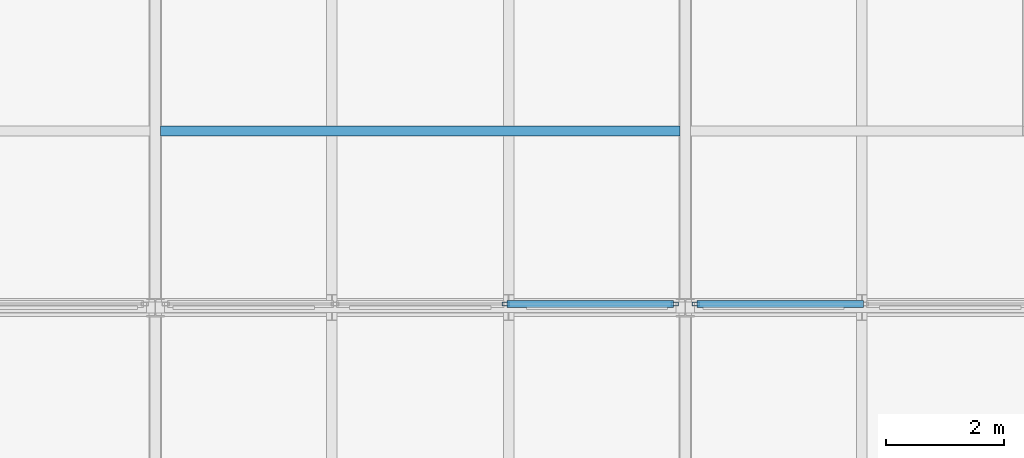
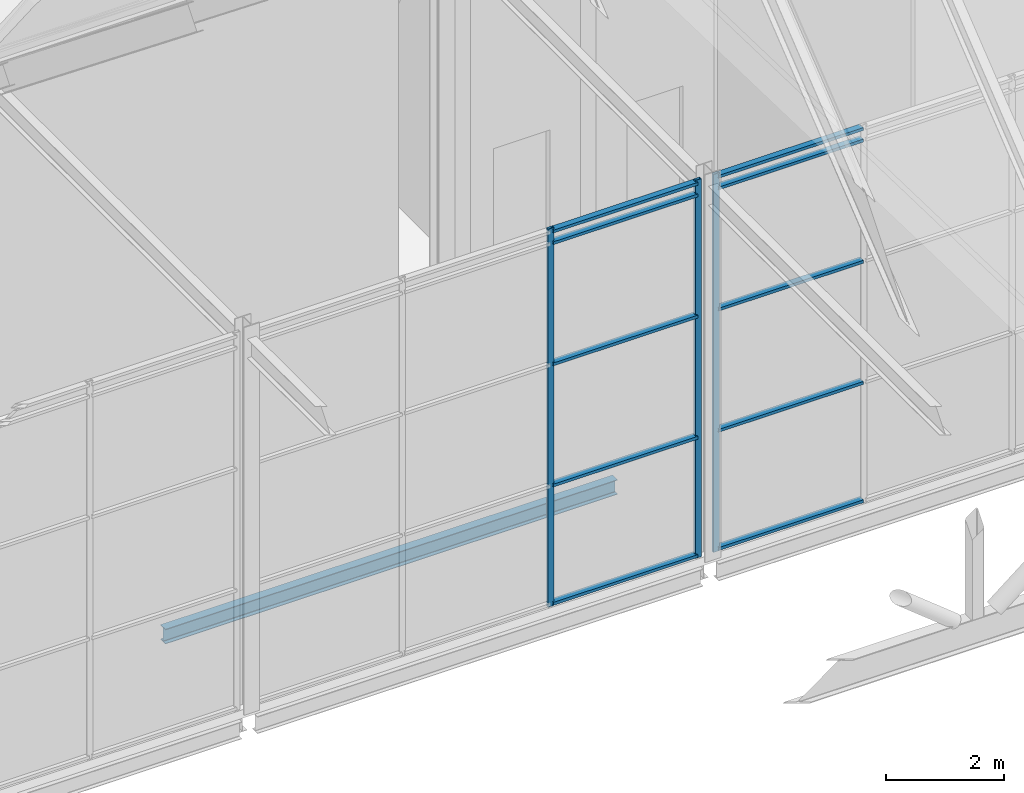
# One storey, part 77 of 144: 13 members, 1 beam, 2 elements without a shape of their own.
"""IFC4 building model written with IfcOpenShell, lengths in metres."""

from ifc_helpers import new_model, si_unit, direction, frame, origin, origin_2d, place, context, subcontext, project, spatial, hollow_rectangle, i_section, extrude, material, layer, layer_set, material_profile, profile_set, type_object, element, aggregate, save


model = new_model("IFC4")

# Units and contexts
model_context = context("Model", 3, precision=1e-05, world=origin(), true_north=direction((0.0, 1.0)))
body_context = subcontext(model_context, "Body", "Model", "MODEL_VIEW")
ifc_project = project(units=[si_unit("LENGTHUNIT", "METRE"), si_unit("AREAUNIT", "SQUARE_METRE"), si_unit("VOLUMEUNIT", "CUBIC_METRE"), si_unit("PLANEANGLEUNIT", "RADIAN"), si_unit("MASSUNIT", "GRAM", prefix="KILO")], contexts=[model_context])

# Site, building, storey
site_placement = place(None, origin())
site = spatial("IfcSite", under=ifc_project, at=site_placement, CompositionType="ELEMENT")
building_placement = place(site_placement, origin())
building = spatial("IfcBuilding", under=site, at=building_placement, Name="Shorebreak Coast Museum", CompositionType="ELEMENT")
storey_placement = place(building_placement, frame((0.0, 0.0, 36.0)))
storey = spatial("IfcBuildingStorey", under=building, at=storey_placement, Name="L06", CompositionType="ELEMENT", Elevation=36.0)

# Beam
ifc_material_1 = material(Name="Steel Grade 300", Category="steel")
ifc_material_profile_1 = material_profile(ifc_material_1, i_section(OverallWidth=0.1650390625, OverallDepth=0.303955078125, WebThickness=0.006103515625, FlangeThickness=0.01025390625, FilletRadius=0.011474609375, at=origin_2d()), Name="310UB40.4")
ifc_profile_set_1 = profile_set([ifc_material_profile_1], Name="Steel Grade 300")
beam_type = type_object("IfcBeamType", Name="Floor joist 310UB40.4", PredefinedType="JOIST", material=ifc_profile_set_1)
beam_placement = place(storey_placement, frame((90.089111328125, 84.0, -0.326904296875), z_axis=(1.0, 0.0, 0.0), x_axis=(0.0, 1.0, 0.0)))
element("IfcBeam", 1, at=beam_placement, inside=storey, type_object=beam_type, Name="Floor joist L06 bay 11K at 3000 mm", PredefinedType="JOIST", context=body_context, shape_type="SweptSolid", body=[
    extrude(i_section(OverallWidth=0.1650390625, OverallDepth=0.303955078125, WebThickness=0.006103515625, FlangeThickness=0.01025390625, FilletRadius=0.011474609375, at=origin_2d()), origin(), (0.0, 0.0, 1.0), 8.82177734375),
])

# Curtain wall, members
ifc_material_2 = material(Name="Aluminium", Category="aluminium")
ifc_layer = layer(ifc_material_2, 0.1201171875)
ifc_layer_set = layer_set([ifc_layer], Name="Aluminium")
curtain_wall_type = type_object("IfcCurtainWallType", Name="Atrium fire screen", PredefinedType="NOTDEFINED", material=ifc_layer_set)
curtain_wall_1_placement = place(storey_placement, origin())
curtain_wall_1 = element("IfcCurtainWall", 2, at=curtain_wall_1_placement, inside=storey, type_object=curtain_wall_type, Name="Atrium screen L06 N 87", PredefinedType="NOTDEFINED")
ifc_material_3 = material(Name="Aluminium", Category="aluminium")
ifc_material_profile_2 = material_profile(ifc_material_3, hollow_rectangle(XDim=0.06005859375, YDim=0.1201171875, WallThickness=0.00341796875, at=origin_2d()), Name="AL 120x60 RHS")
ifc_profile_set_2 = profile_set([ifc_material_profile_2], Name="Aluminium")
member_type_1 = type_object("IfcMemberType", Name="Screen mullion 50 x 120", PredefinedType="MULLION", material=ifc_profile_set_2)
member_1_placement = place(storey_placement, frame((95.94873046875, 81.06005859375, 0.0), z_axis=(0.0, 0.0, 1.0), x_axis=(0.0, 1.0, 0.0)))
member_1 = element("IfcMember", 3, at=member_1_placement, type_object=member_type_1, Name="CW4 mullion 3", PredefinedType="MULLION", context=body_context, shape_type="SweptSolid", body=[
    extrude(hollow_rectangle(XDim=0.06005859375, YDim=0.1201171875, WallThickness=0.00341796875, at=origin_2d()), origin(), (0.0, 0.0, 1.0), 7.800048828125),
])
member_2_placement = place(storey_placement, frame((98.821533203125, 81.06005859375, 0.0), z_axis=(0.0, 0.0, 1.0), x_axis=(0.0, 1.0, 0.0)))
member_2 = element("IfcMember", 4, at=member_2_placement, type_object=member_type_1, Name="CW4 mullion 4", PredefinedType="MULLION", context=body_context, shape_type="SweptSolid", body=[
    extrude(hollow_rectangle(XDim=0.06005859375, YDim=0.1201171875, WallThickness=0.00341796875, at=origin_2d()), origin(), (0.0, 0.0, 1.0), 7.800048828125),
])

# Curtain wall, member
curtain_wall_2_placement = place(storey_placement, origin())
curtain_wall_2 = element("IfcCurtainWall", 5, at=curtain_wall_2_placement, inside=storey, type_object=curtain_wall_type, Name="Atrium screen L06 N 88", PredefinedType="NOTDEFINED")
member_3_placement = place(storey_placement, frame((99.178466796875, 81.06005859375, 0.0), z_axis=(0.0, 0.0, 1.0), x_axis=(0.0, 1.0, 0.0)))
member_3 = element("IfcMember", 6, at=member_3_placement, type_object=member_type_1, Name="CW5 mullion 1", PredefinedType="MULLION", context=body_context, shape_type="SweptSolid", body=[
    extrude(hollow_rectangle(XDim=0.06005859375, YDim=0.1201171875, WallThickness=0.00341796875, at=origin_2d()), origin(), (0.0, 0.0, 1.0), 7.800048828125),
])

# Member
ifc_material_4 = material(Name="Aluminium", Category="aluminium")
ifc_material_profile_3 = material_profile(ifc_material_4, hollow_rectangle(XDim=0.1201171875, YDim=0.06005859375, WallThickness=0.00341796875, at=origin_2d()), Name="AL 60x120 RHS")
ifc_profile_set_3 = profile_set([ifc_material_profile_3], Name="Aluminium")
member_type_2 = type_object("IfcMemberType", Name="Screen transom 120 x 50", PredefinedType="USERDEFINED", material=ifc_profile_set_3)
member_4_placement = place(storey_placement, frame((95.973876953125, 81.06005859375, 0.06005859375), z_axis=(1.0, 0.0, 0.0), x_axis=(0.0, 1.0, 0.0)))
member_4 = element("IfcMember", 7, at=member_4_placement, type_object=member_type_2, Name="CW4 transom 3.1", ObjectType="TRANSOM", PredefinedType="USERDEFINED", context=body_context, shape_type="SweptSolid", body=[
    extrude(hollow_rectangle(XDim=0.1201171875, YDim=0.06005859375, WallThickness=0.00341796875, at=origin_2d()), origin(), (0.0, 0.0, 1.0), 2.822509765625),
])

member_5_placement = place(storey_placement, frame((95.973876953125, 81.06005859375, 2.5), z_axis=(1.0, 0.0, 0.0), x_axis=(0.0, 1.0, 0.0)))
member_5 = element("IfcMember", 8, at=member_5_placement, type_object=member_type_2, Name="CW4 transom 3.2", ObjectType="TRANSOM", PredefinedType="USERDEFINED", context=body_context, shape_type="SweptSolid", body=[
    extrude(hollow_rectangle(XDim=0.1201171875, YDim=0.06005859375, WallThickness=0.00341796875, at=origin_2d()), origin(), (0.0, 0.0, 1.0), 2.822509765625),
])

member_6_placement = place(storey_placement, frame((95.973876953125, 81.06005859375, 5.0), z_axis=(1.0, 0.0, 0.0), x_axis=(0.0, 1.0, 0.0)))
member_6 = element("IfcMember", 9, at=member_6_placement, type_object=member_type_2, Name="CW4 transom 3.3", ObjectType="TRANSOM", PredefinedType="USERDEFINED", context=body_context, shape_type="SweptSolid", body=[
    extrude(hollow_rectangle(XDim=0.1201171875, YDim=0.06005859375, WallThickness=0.00341796875, at=origin_2d()), origin(), (0.0, 0.0, 1.0), 2.822509765625),
])

member_7_placement = place(storey_placement, frame((95.973876953125, 81.06005859375, 7.5), z_axis=(1.0, 0.0, 0.0), x_axis=(0.0, 1.0, 0.0)))
member_7 = element("IfcMember", 10, at=member_7_placement, type_object=member_type_2, Name="CW4 transom 3.4", ObjectType="TRANSOM", PredefinedType="USERDEFINED", context=body_context, shape_type="SweptSolid", body=[
    extrude(hollow_rectangle(XDim=0.1201171875, YDim=0.06005859375, WallThickness=0.00341796875, at=origin_2d()), origin(), (0.0, 0.0, 1.0), 2.822509765625),
])

member_8_placement = place(storey_placement, frame((95.973876953125, 81.06005859375, 7.739990234375), z_axis=(1.0, 0.0, 0.0), x_axis=(0.0, 1.0, 0.0)))
member_8 = element("IfcMember", 11, at=member_8_placement, type_object=member_type_2, Name="CW4 transom 3.5", ObjectType="TRANSOM", PredefinedType="USERDEFINED", context=body_context, shape_type="SweptSolid", body=[
    extrude(hollow_rectangle(XDim=0.1201171875, YDim=0.06005859375, WallThickness=0.00341796875, at=origin_2d()), origin(), (0.0, 0.0, 1.0), 2.822509765625),
])

aggregate(curtain_wall_1, [member_1, member_2, member_4, member_5, member_6, member_7, member_8])

member_9_placement = place(storey_placement, frame((99.20361328125, 81.06005859375, 0.06005859375), z_axis=(1.0, 0.0, 0.0), x_axis=(0.0, 1.0, 0.0)))
member_9 = element("IfcMember", 12, at=member_9_placement, type_object=member_type_2, Name="CW5 transom 1.1", ObjectType="TRANSOM", PredefinedType="USERDEFINED", context=body_context, shape_type="SweptSolid", body=[
    extrude(hollow_rectangle(XDim=0.1201171875, YDim=0.06005859375, WallThickness=0.00341796875, at=origin_2d()), origin(), (0.0, 0.0, 1.0), 2.822509765625),
])

member_10_placement = place(storey_placement, frame((99.20361328125, 81.06005859375, 2.5), z_axis=(1.0, 0.0, 0.0), x_axis=(0.0, 1.0, 0.0)))
member_10 = element("IfcMember", 13, at=member_10_placement, type_object=member_type_2, Name="CW5 transom 1.2", ObjectType="TRANSOM", PredefinedType="USERDEFINED", context=body_context, shape_type="SweptSolid", body=[
    extrude(hollow_rectangle(XDim=0.1201171875, YDim=0.06005859375, WallThickness=0.00341796875, at=origin_2d()), origin(), (0.0, 0.0, 1.0), 2.822509765625),
])

member_11_placement = place(storey_placement, frame((99.20361328125, 81.06005859375, 5.0), z_axis=(1.0, 0.0, 0.0), x_axis=(0.0, 1.0, 0.0)))
member_11 = element("IfcMember", 14, at=member_11_placement, type_object=member_type_2, Name="CW5 transom 1.3", ObjectType="TRANSOM", PredefinedType="USERDEFINED", context=body_context, shape_type="SweptSolid", body=[
    extrude(hollow_rectangle(XDim=0.1201171875, YDim=0.06005859375, WallThickness=0.00341796875, at=origin_2d()), origin(), (0.0, 0.0, 1.0), 2.822509765625),
])

member_12_placement = place(storey_placement, frame((99.20361328125, 81.06005859375, 7.5), z_axis=(1.0, 0.0, 0.0), x_axis=(0.0, 1.0, 0.0)))
member_12 = element("IfcMember", 15, at=member_12_placement, type_object=member_type_2, Name="CW5 transom 1.4", ObjectType="TRANSOM", PredefinedType="USERDEFINED", context=body_context, shape_type="SweptSolid", body=[
    extrude(hollow_rectangle(XDim=0.1201171875, YDim=0.06005859375, WallThickness=0.00341796875, at=origin_2d()), origin(), (0.0, 0.0, 1.0), 2.822509765625),
])

member_13_placement = place(storey_placement, frame((99.20361328125, 81.06005859375, 7.739990234375), z_axis=(1.0, 0.0, 0.0), x_axis=(0.0, 1.0, 0.0)))
member_13 = element("IfcMember", 16, at=member_13_placement, type_object=member_type_2, Name="CW5 transom 1.5", ObjectType="TRANSOM", PredefinedType="USERDEFINED", context=body_context, shape_type="SweptSolid", body=[
    extrude(hollow_rectangle(XDim=0.1201171875, YDim=0.06005859375, WallThickness=0.00341796875, at=origin_2d()), origin(), (0.0, 0.0, 1.0), 2.822509765625),
])

aggregate(curtain_wall_2, [member_3, member_9, member_10, member_11, member_12, member_13])

save(model, "model.ifc")
